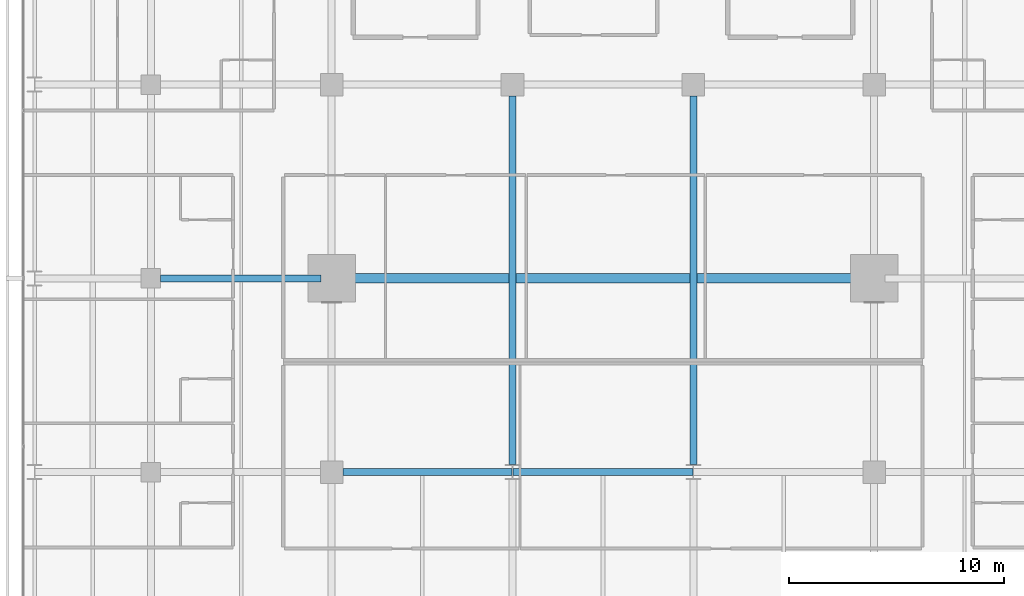
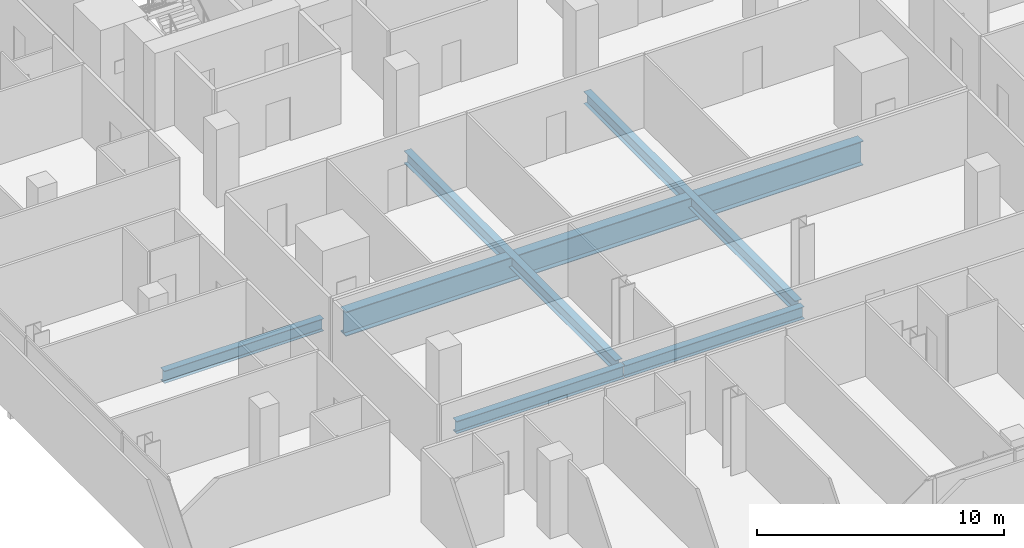
# One storey, part 13 of 40: 6 beams.
"""IFC4 building model written with IfcOpenShell, lengths in metres."""

from ifc_helpers import new_model, si_unit, direction, frame, origin, origin_2d, place, context, subcontext, project, spatial, i_section, extrude, material, material_profile, profile_set, type_object, element, save


model = new_model("IFC4")

# Units and contexts
model_context = context("Model", 3, precision=1e-05, world=origin(), true_north=direction((0.0, 1.0)))
body_context = subcontext(model_context, "Body", "Model", "MODEL_VIEW")
ifc_project = project(units=[si_unit("LENGTHUNIT", "METRE"), si_unit("AREAUNIT", "SQUARE_METRE"), si_unit("VOLUMEUNIT", "CUBIC_METRE"), si_unit("PLANEANGLEUNIT", "RADIAN"), si_unit("MASSUNIT", "GRAM", prefix="KILO")], contexts=[model_context])

# Site, building, storey
site_placement = place(None, origin())
site = spatial("IfcSite", under=ifc_project, at=site_placement, CompositionType="ELEMENT")
building_placement = place(site_placement, origin())
building = spatial("IfcBuilding", under=site, at=building_placement, Name="Maruvema Waterfront Hotel and Observation Tower", CompositionType="ELEMENT")
storey_placement = place(building_placement, frame((0.0, 0.0, 88.550048828125)))
storey = spatial("IfcBuildingStorey", under=building, at=storey_placement, Name="L21", CompositionType="ELEMENT", Elevation=88.550048828125)

# Beams
ifc_material_1 = material(Name="Steel ASTM A572 Grade 50", Category="steel")
ifc_material_profile_1 = material_profile(ifc_material_1, i_section(OverallWidth=0.323974609375, OverallDepth=0.611083984375, WebThickness=0.0126953125, FlangeThickness=0.01904296875, FilletRadius=0.01806640625, at=origin_2d()), Name="W610x155.0")
ifc_profile_set_1 = profile_set([ifc_material_profile_1], Name="Steel ASTM A572 Grade 50")
beam_type_1 = type_object("IfcBeamType", Name="Primary Floor Girder W610x155.0", PredefinedType="BEAM", material=ifc_profile_set_1)
beam_1_placement = place(storey_placement, frame((25.72509765625, 18.0, -0.545654296875), z_axis=(1.0, 0.0, 0.0), x_axis=(0.0, 1.0, 0.0)))
element("IfcBeam", 1, at=beam_1_placement, inside=storey, type_object=beam_type_1, Name="L21 Floor Girder EW-15", PredefinedType="BEAM", context=body_context, shape_type="SweptSolid", body=[
    extrude(i_section(OverallWidth=0.323974609375, OverallDepth=0.611083984375, WebThickness=0.0126953125, FlangeThickness=0.01904296875, FilletRadius=0.01806640625, at=origin_2d()), origin(), (0.0, 0.0, 1.0), 7.86083984375),
])
beam_2_placement = place(storey_placement, frame((33.614013671875, 18.0, -0.545654296875), z_axis=(1.0, 0.0, 0.0), x_axis=(0.0, 1.0, 0.0)))
element("IfcBeam", 2, at=beam_2_placement, inside=storey, type_object=beam_type_1, Name="L21 Floor Girder EW-16", PredefinedType="BEAM", context=body_context, shape_type="SweptSolid", body=[
    extrude(i_section(OverallWidth=0.323974609375, OverallDepth=0.611083984375, WebThickness=0.0126953125, FlangeThickness=0.01904296875, FilletRadius=0.01806640625, at=origin_2d()), origin(), (0.0, 0.0, 1.0), 8.3720703125),
])
beam_3_placement = place(storey_placement, frame((17.25, 27.0, -0.545654296875), z_axis=(1.0, 0.0, 0.0), x_axis=(0.0, 1.0, 0.0)))
element("IfcBeam", 3, at=beam_3_placement, inside=storey, type_object=beam_type_1, Name="L21 Floor Girder EW-21", PredefinedType="BEAM", context=body_context, shape_type="SweptSolid", body=[
    extrude(i_section(OverallWidth=0.323974609375, OverallDepth=0.611083984375, WebThickness=0.0126953125, FlangeThickness=0.01904296875, FilletRadius=0.01806640625, at=origin_2d()), origin(), (0.0, 0.0, 1.0), 7.449951171875),
])
for number, where, z_axis, x_axis, name in (
    (4, (33.60009765625, 18.35009765625, -0.545654296875), (0.0, 1.0, 0.0), (-1.0, 0.0, 0.0), "L21 Floor Girder NS-18"),
    (5, (42.0, 18.35009765625, -0.545654296875), (0.0, 1.0, 0.0), (-1.0, 0.0, 0.0), "L21 Floor Girder NS-21"),
):
    element("IfcBeam", number, at=place(storey_placement, frame(where, z_axis=z_axis, x_axis=x_axis)), inside=storey, type_object=beam_type_1, Name=name, PredefinedType="BEAM", context=body_context, shape_type="SweptSolid", body=[
        extrude(i_section(OverallWidth=0.323974609375, OverallDepth=0.611083984375, WebThickness=0.0126953125, FlangeThickness=0.01904296875, FilletRadius=0.01806640625, at=origin_2d()), origin(), (0.0, 0.0, 1.0), 17.125),
    ])
ifc_material_2 = material(Name="Steel ABNT NBR 7007 AR 415 (ASTM A572 Grade 50)", Category="steel")
ifc_material_profile_2 = material_profile(ifc_material_2, i_section(OverallWidth=0.449951171875, OverallDepth=1.199951171875, WebThickness=0.01904296875, FlangeThickness=0.031982421875, at=origin_2d()), Name="VS1200x366")
ifc_profile_set_2 = profile_set([ifc_material_profile_2], Name="Steel ABNT NBR 7007 AR 415 (ASTM A572 Grade 50)")
beam_type_2 = type_object("IfcBeamType", Name="Upper Setback Transfer Girder VS1200x366", PredefinedType="USERDEFINED", material=ifc_profile_set_2)
beam_4_placement = place(storey_placement, frame((25.699951171875, 27.0, -0.840087890625), z_axis=(1.0, 0.0, 0.0), x_axis=(0.0, 1.0, 0.0)))
element("IfcBeam", 6, at=beam_4_placement, inside=storey, type_object=beam_type_2, Name="L21 Floor Girder EW-22", ObjectType="TRANSFER GIRDER", PredefinedType="USERDEFINED", context=body_context, shape_type="SweptSolid", body=[
    extrude(i_section(OverallWidth=0.449951171875, OverallDepth=1.199951171875, WebThickness=0.01904296875, FlangeThickness=0.031982421875, at=origin_2d()), origin(), (0.0, 0.0, 1.0), 24.199951171875),
])

save(model, "model.ifc")
